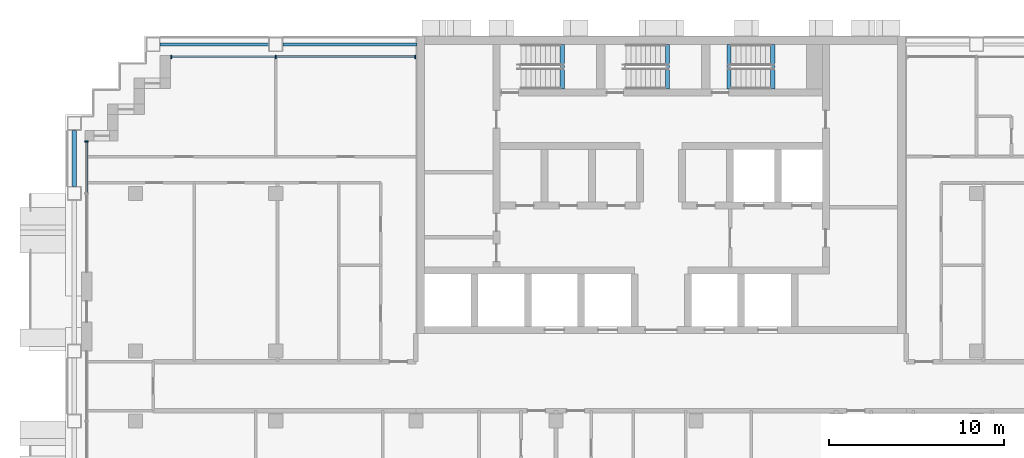
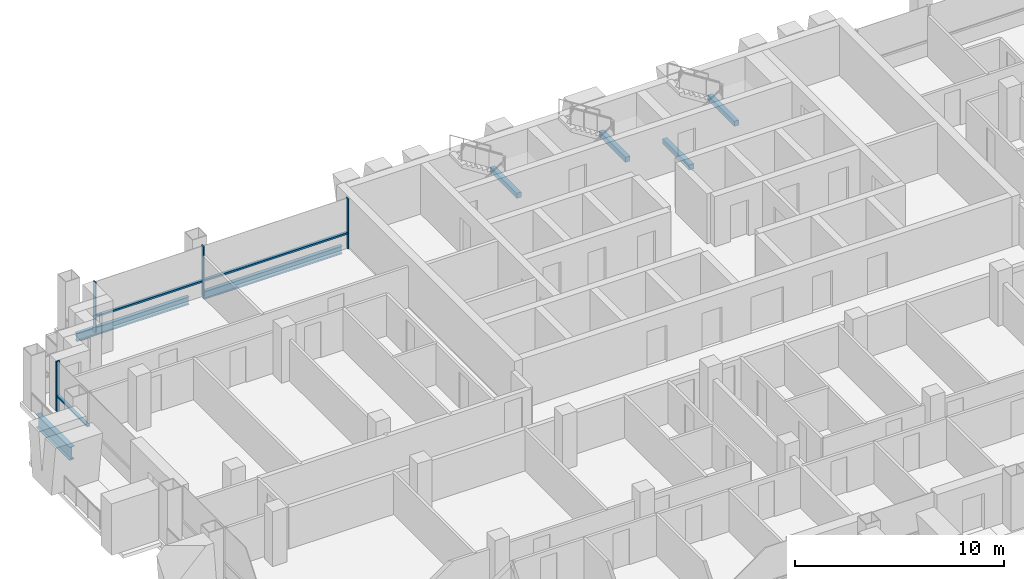
# One storey, part 4 of 16: 7 beams, 7 members, 2 elements without a shape of their own.
"""IFC4 building model written with IfcOpenShell, lengths in metres."""

from ifc_helpers import new_model, si_unit, direction, frame, origin, origin_2d, place, context, subcontext, project, spatial, rectangle, i_section, extrude, material, material_profile, profile_set, type_object, element, aggregate, save


model = new_model("IFC4")

# Units and contexts
model_context = context("Model", 3, precision=1e-05, world=origin(), true_north=direction((0.0, 1.0)))
body_context = subcontext(model_context, "Body", "Model", "MODEL_VIEW")
ifc_project = project(units=[si_unit("LENGTHUNIT", "METRE"), si_unit("AREAUNIT", "SQUARE_METRE"), si_unit("VOLUMEUNIT", "CUBIC_METRE"), si_unit("PLANEANGLEUNIT", "RADIAN"), si_unit("MASSUNIT", "GRAM", prefix="KILO")], contexts=[model_context])

# Site, building, storey
site_placement = place(None, origin())
site = spatial("IfcSite", under=ifc_project, at=site_placement, CompositionType="ELEMENT")
building_placement = place(site_placement, origin())
building = spatial("IfcBuilding", under=site, at=building_placement, Name="Vidyagriha Tower", CompositionType="ELEMENT")
storey_placement = place(building_placement, frame((0.0, 0.0, 135.800048828125)))
storey = spatial("IfcBuildingStorey", under=building, at=storey_placement, Name="L35", CompositionType="ELEMENT", Elevation=135.800048828125)

# Beams
ifc_material_1 = material(Name="Steel ASTM A992 Grade 50", Category="steel")
ifc_material_profile_1 = material_profile(ifc_material_1, i_section(OverallWidth=0.2666015625, OverallDepth=0.76953125, WebThickness=0.015625, FlangeThickness=0.025390625, at=origin_2d()), Name="W30X132")
ifc_profile_set_1 = profile_set([ifc_material_profile_1], Name="Steel ASTM A992 Grade 50")
beam_type_1 = type_object("IfcBeamType", Name="Cantilever edge beam W30X132", PredefinedType="SPANDREL", material=ifc_profile_set_1)
beam_1_placement = place(storey_placement, frame((-33.5, 11.39990234375, -0.664794921875), z_axis=(0.0, 1.0, 0.0), x_axis=(-1.0, 0.0, 0.0)))
element("IfcBeam", 1, at=beam_1_placement, inside=storey, type_object=beam_type_1, Name="st-beam-L35-W13", PredefinedType="SPANDREL", context=body_context, shape_type="SweptSolid", body=[
    extrude(i_section(OverallWidth=0.2666015625, OverallDepth=0.76953125, WebThickness=0.015625, FlangeThickness=0.025390625, at=origin_2d()), origin(), (0.0, 0.0, 1.0), 3.2001953125),
])
ifc_material_2 = material(Name="Steel ASTM A992 Grade 50", Category="steel")
ifc_material_profile_2 = material_profile(ifc_material_2, i_section(OverallWidth=0.19189453125, OverallDepth=0.46240234375, WebThickness=0.010498046875, FlangeThickness=0.017578125, at=origin_2d()), Name="W18X60")
ifc_profile_set_2 = profile_set([ifc_material_profile_2], Name="Steel ASTM A992 Grade 50")
beam_type_2 = type_object("IfcBeamType", Name="Edge beam W18X60", PredefinedType="SPANDREL", material=ifc_profile_set_2)
beam_2_placement = place(storey_placement, frame((-28.60009765625, 19.5, -0.51123046875), z_axis=(1.0, 0.0, 0.0), x_axis=(0.0, 1.0, 0.0)))
element("IfcBeam", 2, at=beam_2_placement, inside=storey, type_object=beam_type_2, Name="st-beam-L35-NW19", PredefinedType="SPANDREL", context=body_context, shape_type="SweptSolid", body=[
    extrude(i_section(OverallWidth=0.19189453125, OverallDepth=0.46240234375, WebThickness=0.010498046875, FlangeThickness=0.017578125, at=origin_2d()), origin(), (0.0, 0.0, 1.0), 6.2001953125),
])
beam_3_placement = place(storey_placement, frame((-21.60009765625, 19.5, -0.51123046875), z_axis=(1.0, 0.0, 0.0), x_axis=(0.0, 1.0, 0.0)))
element("IfcBeam", 3, at=beam_3_placement, inside=storey, type_object=beam_type_2, Name="st-beam-L35-NC22", PredefinedType="SPANDREL", context=body_context, shape_type="SweptSolid", body=[
    extrude(i_section(OverallWidth=0.19189453125, OverallDepth=0.46240234375, WebThickness=0.010498046875, FlangeThickness=0.017578125, at=origin_2d()), origin(), (0.0, 0.0, 1.0), 7.650146484375),
])

# Curtain wall, members
ifc_material_3 = material(Name="Aluminium and glass curtain wall", Category="aluminium")
curtain_wall_type = type_object("IfcCurtainWallType", Name="Dwelling skin unitised curtain wall", PredefinedType="USERDEFINED", material=ifc_material_3)
curtain_wall_1_placement = place(storey_placement, origin())
curtain_wall_1 = element("IfcCurtainWall", 4, at=curtain_wall_1_placement, inside=storey, type_object=curtain_wall_type, Name="CW1 dwelling skin", ObjectType="UNITISED", PredefinedType="USERDEFINED")
ifc_material_4 = material(Name="Aluminium black anodised", Category="aluminium")
ifc_material_profile_3 = material_profile(ifc_material_4, rectangle(XDim=0.199951171875, YDim=0.070068359375, at=origin_2d()), Name="Mullion 70x200 black aluminium")
ifc_profile_set_3 = profile_set([ifc_material_profile_3], Name="Aluminium black anodised")
member_type_1 = type_object("IfcMemberType", Name="Mullion 70x200 black aluminium", PredefinedType="MULLION", material=ifc_profile_set_3)
member_1_placement = place(storey_placement, frame((-14.034912109375, 18.800048828125, 0.0), z_axis=(0.0, 0.0, 1.0), x_axis=(0.0, -1.0, 0.0)))
member_1 = element("IfcMember", 5, at=member_1_placement, type_object=member_type_1, Name="CW1 mullion 1", PredefinedType="MULLION", context=body_context, shape_type="SweptSolid", body=[
    extrude(rectangle(XDim=0.199951171875, YDim=0.070068359375, at=origin_2d()), origin(), (0.0, 0.0, 1.0), 2.919921875),
])
member_2_placement = place(storey_placement, frame((-22.0, 18.800048828125, 0.0), z_axis=(0.0, 0.0, 1.0), x_axis=(0.0, -1.0, 0.0)))
member_2 = element("IfcMember", 6, at=member_2_placement, type_object=member_type_1, Name="CW1 mullion 2", PredefinedType="MULLION", context=body_context, shape_type="SweptSolid", body=[
    extrude(rectangle(XDim=0.199951171875, YDim=0.070068359375, at=origin_2d()), origin(), (0.0, 0.0, 1.0), 2.919921875),
])
member_3_placement = place(storey_placement, frame((-27.965087890625, 18.800048828125, 0.0), z_axis=(0.0, 0.0, 1.0), x_axis=(0.0, -1.0, 0.0)))
member_3 = element("IfcMember", 7, at=member_3_placement, type_object=member_type_1, Name="CW1 mullion 3", PredefinedType="MULLION", context=body_context, shape_type="SweptSolid", body=[
    extrude(rectangle(XDim=0.199951171875, YDim=0.070068359375, at=origin_2d()), origin(), (0.0, 0.0, 1.0), 2.919921875),
])

# Curtain wall, member
curtain_wall_2_placement = place(storey_placement, origin())
curtain_wall_2 = element("IfcCurtainWall", 8, at=curtain_wall_2_placement, inside=storey, type_object=curtain_wall_type, Name="CW1 dwelling skin", ObjectType="UNITISED", PredefinedType="USERDEFINED")
member_4_placement = place(storey_placement, frame((-32.800048828125, 13.965087890625, 0.0)))
member_4 = element("IfcMember", 9, at=member_4_placement, type_object=member_type_1, Name="CW1 mullion 1", PredefinedType="MULLION", context=body_context, shape_type="SweptSolid", body=[
    extrude(rectangle(XDim=0.199951171875, YDim=0.070068359375, at=origin_2d()), origin(), (0.0, 0.0, 1.0), 2.919921875),
])

# Beams
ifc_material_5 = material(Name="Concrete C40/50", Category="concrete")
ifc_material_profile_4 = material_profile(ifc_material_5, rectangle(XDim=0.25, YDim=0.300048828125, at=origin_2d()), Name="Stair landing bearing beam 250x300")
ifc_profile_set_4 = profile_set([ifc_material_profile_4], Name="Concrete C40/50")
beam_type_3 = type_object("IfcBeamType", Name="Stair landing bearing beam 250x300", PredefinedType="BEAM", material=ifc_profile_set_4)
for number, where, z_axis, x_axis, name in (
    (10, (3.875, 16.949951171875, -0.429931640625), (0.0, 1.0, 0.0), (-1.0, 0.0, 0.0), "ST3 floor landing bearing beam L35"),
    (11, (-5.635009765625, 16.949951171875, 1.25), (0.0, 1.0, 0.0), (-1.0, 0.0, 0.0), "ST1 landing bearing beam L35"),
    (12, (0.364990234375, 16.949951171875, 1.25), (0.0, 1.0, 0.0), (-1.0, 0.0, 0.0), "ST2 landing bearing beam L35"),
    (13, (6.364990234375, 16.949951171875, 1.25), (0.0, 1.0, 0.0), (-1.0, 0.0, 0.0), "ST3 landing bearing beam L35"),
):
    element("IfcBeam", number, at=place(storey_placement, frame(where, z_axis=z_axis, x_axis=x_axis)), inside=storey, type_object=beam_type_3, Name=name, PredefinedType="BEAM", context=body_context, shape_type="SweptSolid", body=[
        extrude(rectangle(XDim=0.25, YDim=0.300048828125, at=origin_2d()), origin(), (0.0, 0.0, 1.0), 2.550048828125),
    ])

# Member
ifc_material_6 = material(Name="Aluminium black anodised", Category="aluminium")
ifc_material_profile_5 = material_profile(ifc_material_6, rectangle(XDim=0.159912109375, YDim=0.10009765625, at=origin_2d()), Name="Transom 100x160 black aluminium")
ifc_profile_set_5 = profile_set([ifc_material_profile_5], Name="Aluminium black anodised")
member_type_2 = type_object("IfcMemberType", Name="Transom 100x160 black aluminium", PredefinedType="USERDEFINED", material=ifc_profile_set_5)
member_5_placement = place(storey_placement, frame((-14.070068359375, 18.800048828125, 0.89990234375), z_axis=(-1.0, 0.0, 0.0), x_axis=(0.0, -1.0, 0.0)))
member_5 = element("IfcMember", 14, at=member_5_placement, type_object=member_type_2, Name="CW1 transom 1.1", ObjectType="TRANSOM", PredefinedType="USERDEFINED", context=body_context, shape_type="SweptSolid", body=[
    extrude(rectangle(XDim=0.159912109375, YDim=0.10009765625, at=origin_2d()), origin(), (0.0, 0.0, 1.0), 7.89501953125),
])

member_6_placement = place(storey_placement, frame((-22.034912109375, 18.800048828125, 0.89990234375), z_axis=(-1.0, 0.0, 0.0), x_axis=(0.0, -1.0, 0.0)))
member_6 = element("IfcMember", 15, at=member_6_placement, type_object=member_type_2, Name="CW1 transom 2.1", ObjectType="TRANSOM", PredefinedType="USERDEFINED", context=body_context, shape_type="SweptSolid", body=[
    extrude(rectangle(XDim=0.159912109375, YDim=0.10009765625, at=origin_2d()), origin(), (0.0, 0.0, 1.0), 5.89501953125),
])

aggregate(curtain_wall_1, [member_1, member_2, member_3, member_5, member_6])

member_7_placement = place(storey_placement, frame((-32.800048828125, 13.929931640625, 0.89990234375), z_axis=(0.0, -1.0, 0.0), x_axis=(1.0, 0.0, 0.0)))
member_7 = element("IfcMember", 16, at=member_7_placement, type_object=member_type_2, Name="CW1 transom 1.1", ObjectType="TRANSOM", PredefinedType="USERDEFINED", context=body_context, shape_type="SweptSolid", body=[
    extrude(rectangle(XDim=0.159912109375, YDim=0.10009765625, at=origin_2d()), origin(), (0.0, 0.0, 1.0), 2.89501953125),
])

aggregate(curtain_wall_2, [member_4, member_7])

save(model, "model.ifc")
